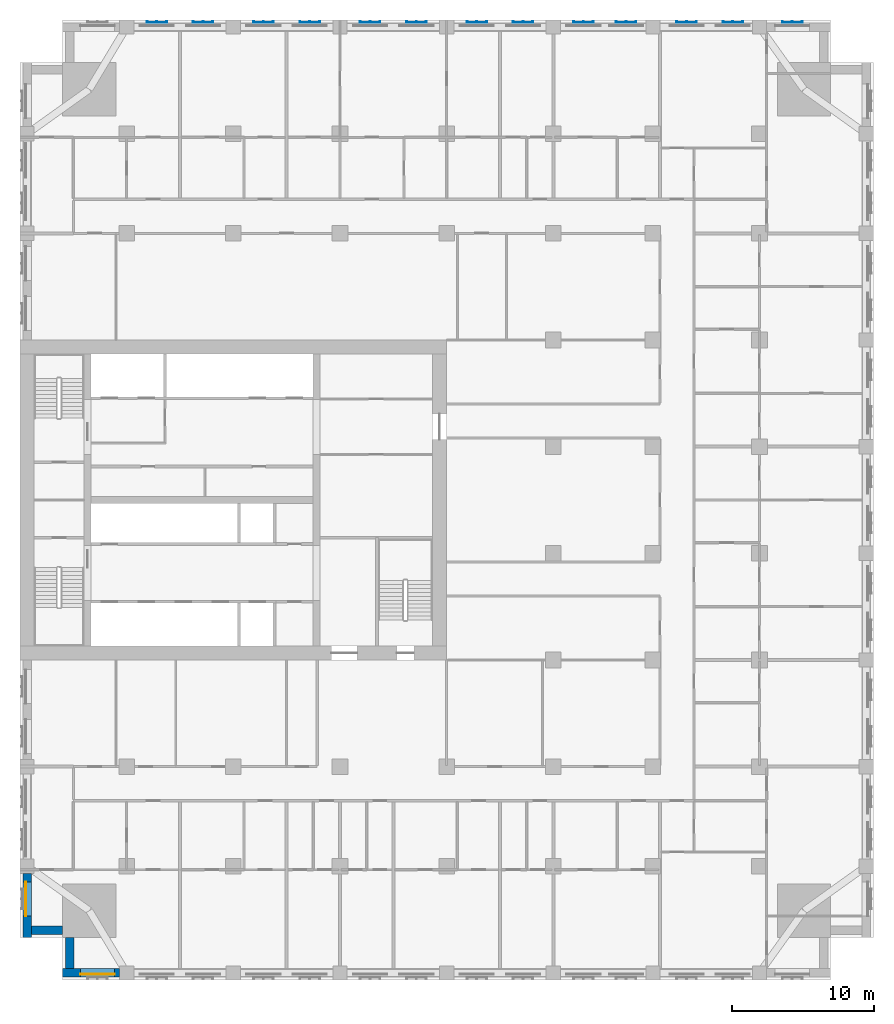
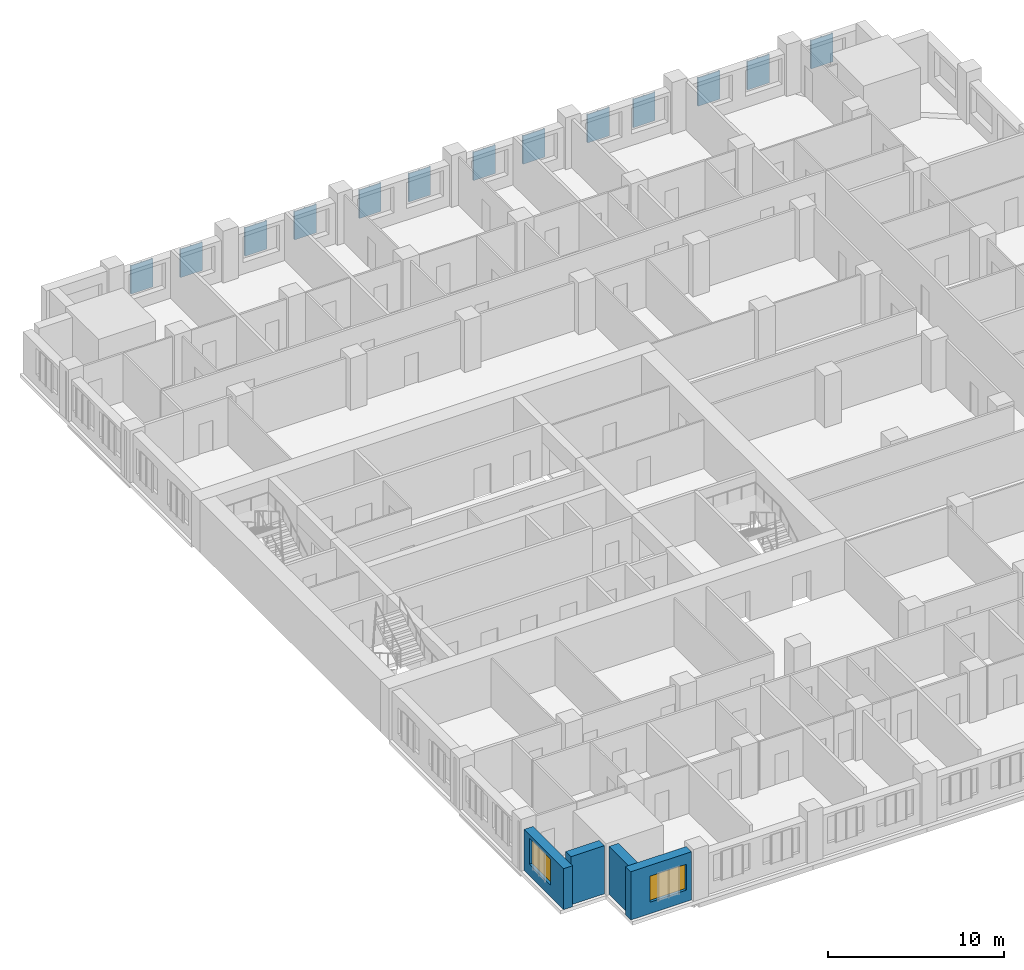
# One storey, part 3 of 14: 13 plates, 4 walls, 2 windows, 2 openings.
"""IFC4 building model written with IfcOpenShell, lengths in metres."""

import ifcopenshell
import ifcopenshell.guid

model = None  # the IFC model being written
_history = None  # IfcOwnerHistory: only IFC2X3 demands one
_inside = {}  # id of a spatial element -> (the spatial element, [elements in it])
_under = {}  # id of a project, library or spatial element -> (it, [spatial elements below it])
_declared = {}  # id of a project -> (the project, [libraries it declares])
_typed = {}  # id of a type object -> (the type object, [elements of that type])
_made_of = {}  # id of a material, layer set ... -> (it, [elements and type objects made of it])


def new_model(schema):
    """Start an empty IFC model of exactly this schema.

    Asked for "IFC4X3", IfcOpenShell would pick the latest addendum, in which some entities
    have other attributes; the version numbers below select the first issue.
    IFC2X3 requires an IfcOwnerHistory on every rooted entity: one is made here for all.
    """
    global model, _history
    if schema == "IFC4X3":
        model = ifcopenshell.file(schema_version=(4, 3, 0, 0))
    else:
        model = ifcopenshell.file(schema=schema)
    _inside.clear()
    _under.clear()
    _declared.clear()
    _typed.clear()
    _made_of.clear()
    _history = None
    if model.schema == "IFC2X3":
        org = make("IfcOrganization", Name="unknown")
        user = make(
            "IfcPersonAndOrganization",
            ThePerson=make("IfcPerson", FamilyName="unknown"),
            TheOrganization=org,
        )
        app = make(
            "IfcApplication",
            ApplicationDeveloper=org,
            Version="unknown",
            ApplicationFullName="unknown",
            ApplicationIdentifier="unknown",
        )
        _history = make(
            "IfcOwnerHistory",
            OwningUser=user,
            OwningApplication=app,
            ChangeAction="ADDED",
            CreationDate=0,
        )
    return model


def make(cls, **values):
    """One entity of the class cls with the attributes given. An attribute that is None is left unset."""
    return model.create_entity(
        cls, **{name: value for name, value in values.items() if value is not None}
    )


def rooted(cls, **values):
    """An entity with a GlobalId (a new one), such as an element, a storey or a relation."""
    return make(cls, GlobalId=ifcopenshell.guid.new(), OwnerHistory=_history, **values)


def si_unit(unit_type, name, prefix=None):
    """IfcSIUnit, for example si_unit("LENGTHUNIT", "METRE", prefix="MILLI")."""
    return make("IfcSIUnit", UnitType=unit_type, Prefix=prefix, Name=name)


def assignment(units):
    """IfcUnitAssignment: the units of a project."""
    return None if units is None else make("IfcUnitAssignment", Units=units)


def point(xyz):
    """IfcCartesianPoint."""
    return None if xyz is None else make("IfcCartesianPoint", Coordinates=xyz)


def direction(xyz):
    """IfcDirection."""
    return None if xyz is None else make("IfcDirection", DirectionRatios=xyz)


def frame(location, z_axis=None, x_axis=None):
    """IfcAxis2Placement3D, a coordinate frame: its origin and axes. An axis left out is left unset."""
    return make(
        "IfcAxis2Placement3D",
        Location=point(location),
        Axis=direction(z_axis),
        RefDirection=direction(x_axis),
    )


def frame_2d(location, x_axis=None):
    """IfcAxis2Placement2D, a coordinate frame in the plane: its origin and x axis."""
    return make(
        "IfcAxis2Placement2D", Location=point(location), RefDirection=direction(x_axis)
    )


def origin():
    """The frame at (0, 0, 0) with its axes left unset."""
    return frame((0.0, 0.0, 0.0))


def place(relative_to, where):
    """IfcLocalPlacement: puts the frame where relative to a parent placement (None: the world)."""
    return make(
        "IfcLocalPlacement", PlacementRelTo=relative_to, RelativePlacement=where
    )


def context(
    kind, dimensions, precision=None, world=None, true_north=None, identifier=None
):
    """IfcGeometricRepresentationContext, for example the 3D "Model" context."""
    return make(
        "IfcGeometricRepresentationContext",
        ContextIdentifier=identifier,
        ContextType=kind,
        CoordinateSpaceDimension=dimensions,
        Precision=precision,
        WorldCoordinateSystem=world,
        TrueNorth=true_north,
    )


def subcontext(parent, identifier, kind, view, scale=None):
    """IfcGeometricRepresentationSubContext, for example "Body" below "Model"."""
    return make(
        "IfcGeometricRepresentationSubContext",
        ContextIdentifier=identifier,
        ContextType=kind,
        ParentContext=parent,
        TargetScale=scale,
        TargetView=view,
    )


def project(units=None, contexts=None):
    """IfcProject with its units and contexts."""
    return rooted(
        "IfcProject",
        Name="project",
        RepresentationContexts=contexts,
        UnitsInContext=assignment(units),
    )


def spatial(cls, under=None, at=None, **own):
    """A site, building, storey or space (cls), placed at a placement, below another one or the project."""
    s = rooted(cls, ObjectPlacement=at, **own)
    if under is not None:
        _under.setdefault(under.id(), (under, []))[1].append(s)
    return s


def polyline(points):
    """IfcPolyline through the points."""
    return make("IfcPolyline", Points=[point(p) for p in points])


def profile(cls, at=None, kind="AREA", **sizes):
    """A parametric profile (cls). Its sizes go by their IFC names, for example OverallWidth=200.0."""
    return make(cls, ProfileType=kind, Position=at, **sizes)


def rectangle(**sizes):
    """IfcRectangleProfileDef."""
    return profile("IfcRectangleProfileDef", **sizes)


def outline(outer, holes=None, kind="AREA"):
    """IfcArbitraryClosedProfileDef: a profile drawn as a closed curve; with holes, ...WithVoids."""
    if holes is None:
        return make("IfcArbitraryClosedProfileDef", ProfileType=kind, OuterCurve=outer)
    return make(
        "IfcArbitraryProfileDefWithVoids",
        ProfileType=kind,
        OuterCurve=outer,
        InnerCurves=holes,
    )


def extrude(swept, where, along, depth):
    """IfcExtrudedAreaSolid: the profile swept, set in the frame where, extruded along a direction by depth."""
    return make(
        "IfcExtrudedAreaSolid",
        SweptArea=swept,
        Position=where,
        ExtrudedDirection=direction(along),
        Depth=depth,
    )


def shape(context_of_items, identifier, shape_type, items):
    """IfcShapeRepresentation: the items that make up one representation, for example the "Body"."""
    return make(
        "IfcShapeRepresentation",
        ContextOfItems=context_of_items,
        RepresentationIdentifier=identifier,
        RepresentationType=shape_type,
        Items=items,
    )


def material(Name=None, Category=None):
    """IfcMaterial."""
    return make("IfcMaterial", Name=Name, Category=Category)


def layer(
    of_material, thickness, ventilated=None, Name=None, Category=None, Priority=None
):
    """IfcMaterialLayer: one layer of a wall or slab, of a material (None: an air gap)."""
    return make(
        "IfcMaterialLayer",
        Material=of_material,
        LayerThickness=thickness,
        IsVentilated=ventilated,
        Name=Name,
        Category=Category,
        Priority=Priority,
    )


def layer_set(layers, Name=None):
    """IfcMaterialLayerSet."""
    return make("IfcMaterialLayerSet", MaterialLayers=layers, LayerSetName=Name)


def made_of(thing, what):
    """Note that an element or type object is made of a material, layer set ...; save() writes the relation."""
    if what is not None:
        _made_of.setdefault(what.id(), (what, []))[1].append(thing)
    return thing


def type_object(cls, material=None, **own):
    """A type object (cls), such as IfcWallType, which elements share."""
    return made_of(rooted(cls, **own), material)


def element(
    cls,
    number,
    at=None,
    inside=None,
    cuts=None,
    type_object=None,
    material=None,
    context=None,
    identifier="Body",
    shape_type=None,
    held_by="IfcProductDefinitionShape",
    body=None,
    shapes=None,
    **own,
):
    """One element of the class cls, such as IfcWall. Its Tag is "e" and its number.

    at: its placement. inside: the storey or other place that contains it. cuts: it is an
    opening in that element (IfcRelVoidsElement). A single representation is given by context,
    identifier, shape_type and body (its items); several are given by shapes. held_by: the class
    of the entity that holds the representations. save() writes the other relations.
    """
    e = rooted(cls, Tag="e%d" % number, ObjectPlacement=at, **own)
    if body is not None:
        shapes = [shape(context, identifier, shape_type, body)]
    if shapes is not None:
        e.Representation = make(held_by, Representations=shapes)
    if inside is not None:
        _inside.setdefault(inside.id(), (inside, []))[1].append(e)
    if cuts is not None:
        rooted(
            "IfcRelVoidsElement", RelatingBuildingElement=cuts, RelatedOpeningElement=e
        )
    if type_object is not None:
        _typed.setdefault(type_object.id(), (type_object, []))[1].append(e)
    return made_of(e, material)


def fill(opening, filler):
    """IfcRelFillsElement: the door or window that sits in an opening."""
    return rooted(
        "IfcRelFillsElement",
        RelatingOpeningElement=opening,
        RelatedBuildingElement=filler,
    )


def aggregate(whole, parts):
    """IfcRelAggregates: a whole, such as a stair, and the parts it consists of."""
    return rooted("IfcRelAggregates", RelatingObject=whole, RelatedObjects=parts)


def save(model, path):
    """Write the relations noted so far, then the file.

    IfcRelAggregates (storeys below a building ...), IfcRelContainedInSpatialStructure (elements
    in a storey), IfcRelDefinesByType, IfcRelAssociatesMaterial and IfcRelDeclares: one each for
    every whole, place, type object, material and project.
    """
    for whole, parts in _under.values():
        aggregate(whole, parts)
    for where, things in _inside.values():
        rooted(
            "IfcRelContainedInSpatialStructure",
            RelatedElements=things,
            RelatingStructure=where,
        )
    for kind, things in _typed.values():
        rooted("IfcRelDefinesByType", RelatedObjects=things, RelatingType=kind)
    for what, things in _made_of.values():
        rooted("IfcRelAssociatesMaterial", RelatedObjects=things, RelatingMaterial=what)
    for by, libraries in _declared.values():
        rooted("IfcRelDeclares", RelatingContext=by, RelatedDefinitions=libraries)
    model.write(path)


model = new_model("IFC4")

# Units and contexts
model_context = context("Model", 3, precision=1e-05, world=origin(), true_north=direction((0.0, 1.0)))
body_context = subcontext(model_context, "Body", "Model", "MODEL_VIEW")
ifc_project = project(units=[si_unit("LENGTHUNIT", "METRE"), si_unit("AREAUNIT", "SQUARE_METRE"), si_unit("VOLUMEUNIT", "CUBIC_METRE"), si_unit("PLANEANGLEUNIT", "RADIAN"), si_unit("MASSUNIT", "GRAM", prefix="KILO")], contexts=[model_context])

# Site, building, storey
site_placement = place(None, origin())
site = spatial("IfcSite", under=ifc_project, at=site_placement, CompositionType="ELEMENT")
building_placement = place(site_placement, origin())
building = spatial("IfcBuilding", under=site, at=building_placement, Name="Tamorin Gate", CompositionType="ELEMENT")
storey_placement = place(building_placement, frame((0.0, 0.0, 89.89990234375)))
storey = spatial("IfcBuildingStorey", under=building, at=storey_placement, Name="L21", CompositionType="ELEMENT", Elevation=89.89990234375)

# Plates
ifc_material_1 = material(Name="Perforated pale aluminium sheet", Category="aluminium")
ifc_layer_1 = layer(ifc_material_1, 0.0400390625)
ifc_layer_set_1 = layer_set([ifc_layer_1], Name="Pale metal solar screen 1440")
plate_type = type_object("IfcPlateType", Name="Pale metal solar screen 1440", PredefinedType="SHEET", material=ifc_layer_set_1)
plate_1_placement = place(storey_placement, frame((0.0, 0.0, 0.710205078125)))
element("IfcPlate", 1, at=plate_1_placement, inside=storey, type_object=plate_type, Name="Perforated solar screen", PredefinedType="SHEET", context=body_context, shape_type="SweptSolid", body=[
    extrude(outline(polyline([(85.02001953125, 104.840087890625), (85.02001953125, 104.800048828125), (84.9599609375, 104.800048828125), (84.330078125, 104.800048828125), (84.27001953125, 104.800048828125), (83.639892578125, 104.800048828125), (83.580078125, 104.800048828125), (83.580078125, 104.840087890625), (83.580078125, 104.89990234375), (83.639892578125, 104.89990234375), (83.639892578125, 104.840087890625), (84.27001953125, 104.840087890625), (84.27001953125, 104.89990234375), (84.330078125, 104.89990234375), (84.330078125, 104.840087890625), (84.9599609375, 104.840087890625), (84.9599609375, 104.89990234375), (85.02001953125, 104.89990234375), (85.02001953125, 104.840087890625)])), origin(), (0.0, 0.0, 1.0), 1.97998046875),
])
plate_2_placement = place(storey_placement, frame((0.0, 0.0, 0.710205078125)))
element("IfcPlate", 2, at=plate_2_placement, inside=storey, type_object=plate_type, Name="Perforated solar screen", PredefinedType="SHEET", context=body_context, shape_type="SweptSolid", body=[
    extrude(outline(polyline([(77.594970703125, 104.840087890625), (77.594970703125, 104.800048828125), (77.534912109375, 104.800048828125), (76.905029296875, 104.800048828125), (76.844970703125, 104.800048828125), (76.215087890625, 104.800048828125), (76.155029296875, 104.800048828125), (76.155029296875, 104.840087890625), (76.155029296875, 104.89990234375), (76.215087890625, 104.89990234375), (76.215087890625, 104.840087890625), (76.844970703125, 104.840087890625), (76.844970703125, 104.89990234375), (76.905029296875, 104.89990234375), (76.905029296875, 104.840087890625), (77.534912109375, 104.840087890625), (77.534912109375, 104.89990234375), (77.594970703125, 104.89990234375), (77.594970703125, 104.840087890625)])), origin(), (0.0, 0.0, 1.0), 1.97998046875),
])
plate_3_placement = place(storey_placement, frame((0.0, 0.0, 0.710205078125)))
element("IfcPlate", 3, at=plate_3_placement, inside=storey, type_object=plate_type, Name="Perforated solar screen", PredefinedType="SHEET", context=body_context, shape_type="SweptSolid", body=[
    extrude(outline(polyline([(80.844970703125, 104.840087890625), (80.844970703125, 104.800048828125), (80.784912109375, 104.800048828125), (80.155029296875, 104.800048828125), (80.094970703125, 104.800048828125), (79.465087890625, 104.800048828125), (79.405029296875, 104.800048828125), (79.405029296875, 104.800048828125), (79.405029296875, 104.840087890625), (79.405029296875, 104.840087890625), (79.405029296875, 104.89990234375), (79.465087890625, 104.89990234375), (79.465087890625, 104.840087890625), (80.094970703125, 104.840087890625), (80.094970703125, 104.89990234375), (80.155029296875, 104.89990234375), (80.155029296875, 104.840087890625), (80.784912109375, 104.840087890625), (80.784912109375, 104.89990234375), (80.844970703125, 104.89990234375), (80.844970703125, 104.840087890625)])), origin(), (0.0, 0.0, 1.0), 1.97998046875),
])
plate_4_placement = place(storey_placement, frame((0.0, 0.0, 0.710205078125)))
element("IfcPlate", 4, at=plate_4_placement, inside=storey, type_object=plate_type, Name="Perforated solar screen", PredefinedType="SHEET", context=body_context, shape_type="SweptSolid", body=[
    extrude(outline(polyline([(70.344970703125, 104.840087890625), (70.344970703125, 104.800048828125), (70.284912109375, 104.800048828125), (69.655029296875, 104.800048828125), (69.594970703125, 104.800048828125), (68.965087890625, 104.800048828125), (68.905029296875, 104.800048828125), (68.905029296875, 104.840087890625), (68.905029296875, 104.89990234375), (68.965087890625, 104.89990234375), (68.965087890625, 104.840087890625), (69.594970703125, 104.840087890625), (69.594970703125, 104.89990234375), (69.655029296875, 104.89990234375), (69.655029296875, 104.840087890625), (70.284912109375, 104.840087890625), (70.284912109375, 104.89990234375), (70.344970703125, 104.89990234375), (70.344970703125, 104.840087890625)])), origin(), (0.0, 0.0, 1.0), 1.97998046875),
])
plate_5_placement = place(storey_placement, frame((0.0, 0.0, 0.710205078125)))
element("IfcPlate", 5, at=plate_5_placement, inside=storey, type_object=plate_type, Name="Perforated solar screen", PredefinedType="SHEET", context=body_context, shape_type="SweptSolid", body=[
    extrude(outline(polyline([(73.344970703125, 104.840087890625), (73.344970703125, 104.800048828125), (73.284912109375, 104.800048828125), (72.655029296875, 104.800048828125), (72.594970703125, 104.800048828125), (71.965087890625, 104.800048828125), (71.905029296875, 104.800048828125), (71.905029296875, 104.840087890625), (71.905029296875, 104.89990234375), (71.965087890625, 104.89990234375), (71.965087890625, 104.840087890625), (72.594970703125, 104.840087890625), (72.594970703125, 104.89990234375), (72.655029296875, 104.89990234375), (72.655029296875, 104.840087890625), (73.284912109375, 104.840087890625), (73.284912109375, 104.89990234375), (73.344970703125, 104.89990234375), (73.344970703125, 104.840087890625)])), origin(), (0.0, 0.0, 1.0), 1.97998046875),
])
plate_6_placement = place(storey_placement, frame((0.0, 0.0, 0.710205078125)))
element("IfcPlate", 6, at=plate_6_placement, inside=storey, type_object=plate_type, Name="Perforated solar screen", PredefinedType="SHEET", context=body_context, shape_type="SweptSolid", body=[
    extrude(outline(polyline([(62.844970703125, 104.840087890625), (62.844970703125, 104.800048828125), (62.784912109375, 104.800048828125), (62.155029296875, 104.800048828125), (62.094970703125, 104.800048828125), (61.465087890625, 104.800048828125), (61.405029296875, 104.800048828125), (61.405029296875, 104.840087890625), (61.405029296875, 104.89990234375), (61.465087890625, 104.89990234375), (61.465087890625, 104.840087890625), (62.094970703125, 104.840087890625), (62.094970703125, 104.89990234375), (62.155029296875, 104.89990234375), (62.155029296875, 104.840087890625), (62.784912109375, 104.840087890625), (62.784912109375, 104.89990234375), (62.844970703125, 104.89990234375), (62.844970703125, 104.840087890625)])), origin(), (0.0, 0.0, 1.0), 1.97998046875),
])
plate_7_placement = place(storey_placement, frame((0.0, 0.0, 0.710205078125)))
element("IfcPlate", 7, at=plate_7_placement, inside=storey, type_object=plate_type, Name="Perforated solar screen", PredefinedType="SHEET", context=body_context, shape_type="SweptSolid", body=[
    extrude(outline(polyline([(66.094970703125, 104.840087890625), (66.094970703125, 104.800048828125), (66.034912109375, 104.800048828125), (65.405029296875, 104.800048828125), (65.344970703125, 104.800048828125), (64.715087890625, 104.800048828125), (64.655029296875, 104.800048828125), (64.655029296875, 104.840087890625), (64.655029296875, 104.89990234375), (64.715087890625, 104.89990234375), (64.715087890625, 104.840087890625), (65.344970703125, 104.840087890625), (65.344970703125, 104.89990234375), (65.405029296875, 104.89990234375), (65.405029296875, 104.840087890625), (66.034912109375, 104.840087890625), (66.034912109375, 104.89990234375), (66.094970703125, 104.89990234375), (66.094970703125, 104.840087890625)])), origin(), (0.0, 0.0, 1.0), 1.97998046875),
])
plate_8_placement = place(storey_placement, frame((0.0, 0.0, 0.710205078125)))
element("IfcPlate", 8, at=plate_8_placement, inside=storey, type_object=plate_type, Name="Perforated solar screen", PredefinedType="SHEET", context=body_context, shape_type="SweptSolid", body=[
    extrude(outline(polyline([(55.344970703125, 104.840087890625), (55.344970703125, 104.800048828125), (55.284912109375, 104.800048828125), (54.655029296875, 104.800048828125), (54.594970703125, 104.800048828125), (53.965087890625, 104.800048828125), (53.905029296875, 104.800048828125), (53.905029296875, 104.840087890625), (53.905029296875, 104.89990234375), (53.965087890625, 104.89990234375), (53.965087890625, 104.840087890625), (54.594970703125, 104.840087890625), (54.594970703125, 104.89990234375), (54.655029296875, 104.89990234375), (54.655029296875, 104.840087890625), (55.284912109375, 104.840087890625), (55.284912109375, 104.89990234375), (55.344970703125, 104.89990234375), (55.344970703125, 104.840087890625)])), origin(), (0.0, 0.0, 1.0), 1.97998046875),
])
plate_9_placement = place(storey_placement, frame((0.0, 0.0, 0.710205078125)))
element("IfcPlate", 9, at=plate_9_placement, inside=storey, type_object=plate_type, Name="Perforated solar screen", PredefinedType="SHEET", context=body_context, shape_type="SweptSolid", body=[
    extrude(outline(polyline([(58.594970703125, 104.840087890625), (58.594970703125, 104.800048828125), (58.534912109375, 104.800048828125), (57.905029296875, 104.800048828125), (57.844970703125, 104.800048828125), (57.215087890625, 104.800048828125), (57.155029296875, 104.800048828125), (57.155029296875, 104.840087890625), (57.155029296875, 104.89990234375), (57.215087890625, 104.89990234375), (57.215087890625, 104.840087890625), (57.844970703125, 104.840087890625), (57.844970703125, 104.89990234375), (57.905029296875, 104.89990234375), (57.905029296875, 104.840087890625), (58.534912109375, 104.840087890625), (58.534912109375, 104.89990234375), (58.594970703125, 104.89990234375), (58.594970703125, 104.840087890625)])), origin(), (0.0, 0.0, 1.0), 1.97998046875),
])
plate_10_placement = place(storey_placement, frame((0.0, 0.0, 0.710205078125)))
element("IfcPlate", 10, at=plate_10_placement, inside=storey, type_object=plate_type, Name="Perforated solar screen", PredefinedType="SHEET", context=body_context, shape_type="SweptSolid", body=[
    extrude(outline(polyline([(47.844970703125, 104.840087890625), (47.844970703125, 104.800048828125), (47.784912109375, 104.800048828125), (47.155029296875, 104.800048828125), (47.094970703125, 104.800048828125), (46.465087890625, 104.800048828125), (46.405029296875, 104.800048828125), (46.405029296875, 104.840087890625), (46.405029296875, 104.89990234375), (46.465087890625, 104.89990234375), (46.465087890625, 104.840087890625), (47.094970703125, 104.840087890625), (47.094970703125, 104.89990234375), (47.155029296875, 104.89990234375), (47.155029296875, 104.840087890625), (47.784912109375, 104.840087890625), (47.784912109375, 104.89990234375), (47.844970703125, 104.89990234375), (47.844970703125, 104.840087890625)])), origin(), (0.0, 0.0, 1.0), 1.97998046875),
])
plate_11_placement = place(storey_placement, frame((0.0, 0.0, 0.710205078125)))
element("IfcPlate", 11, at=plate_11_placement, inside=storey, type_object=plate_type, Name="Perforated solar screen", PredefinedType="SHEET", context=body_context, shape_type="SweptSolid", body=[
    extrude(outline(polyline([(51.094970703125, 104.840087890625), (51.094970703125, 104.800048828125), (51.034912109375, 104.800048828125), (50.405029296875, 104.800048828125), (50.344970703125, 104.800048828125), (49.715087890625, 104.800048828125), (49.655029296875, 104.800048828125), (49.655029296875, 104.840087890625), (49.655029296875, 104.89990234375), (49.715087890625, 104.89990234375), (49.715087890625, 104.840087890625), (50.344970703125, 104.840087890625), (50.344970703125, 104.89990234375), (50.405029296875, 104.89990234375), (50.405029296875, 104.840087890625), (51.034912109375, 104.840087890625), (51.034912109375, 104.89990234375), (51.094970703125, 104.89990234375), (51.094970703125, 104.840087890625)])), origin(), (0.0, 0.0, 1.0), 1.97998046875),
])
plate_12_placement = place(storey_placement, frame((0.0, 0.0, 0.710205078125)))
element("IfcPlate", 12, at=plate_12_placement, inside=storey, type_object=plate_type, Name="Perforated solar screen", PredefinedType="SHEET", context=body_context, shape_type="SweptSolid", body=[
    extrude(outline(polyline([(40.344970703125, 104.840087890625), (40.344970703125, 104.800048828125), (40.284912109375, 104.800048828125), (39.655029296875, 104.800048828125), (39.594970703125, 104.800048828125), (38.965087890625, 104.800048828125), (38.905029296875, 104.800048828125), (38.905029296875, 104.840087890625), (38.905029296875, 104.89990234375), (38.965087890625, 104.89990234375), (38.965087890625, 104.840087890625), (39.594970703125, 104.840087890625), (39.594970703125, 104.89990234375), (39.655029296875, 104.89990234375), (39.655029296875, 104.840087890625), (40.284912109375, 104.840087890625), (40.284912109375, 104.89990234375), (40.344970703125, 104.89990234375), (40.344970703125, 104.840087890625)])), origin(), (0.0, 0.0, 1.0), 1.97998046875),
])
plate_13_placement = place(storey_placement, frame((0.0, 0.0, 0.710205078125)))
element("IfcPlate", 13, at=plate_13_placement, inside=storey, type_object=plate_type, Name="Perforated solar screen", PredefinedType="SHEET", context=body_context, shape_type="SweptSolid", body=[
    extrude(outline(polyline([(43.594970703125, 104.840087890625), (43.594970703125, 104.800048828125), (43.534912109375, 104.800048828125), (42.905029296875, 104.800048828125), (42.844970703125, 104.800048828125), (42.215087890625, 104.800048828125), (42.155029296875, 104.800048828125), (42.155029296875, 104.840087890625), (42.155029296875, 104.89990234375), (42.215087890625, 104.89990234375), (42.215087890625, 104.840087890625), (42.844970703125, 104.840087890625), (42.844970703125, 104.89990234375), (42.905029296875, 104.89990234375), (42.905029296875, 104.840087890625), (43.534912109375, 104.840087890625), (43.534912109375, 104.89990234375), (43.594970703125, 104.89990234375), (43.594970703125, 104.840087890625)])), origin(), (0.0, 0.0, 1.0), 1.97998046875),
])

# Wall, opening, window
ifc_material_2 = material(Name="Precast concrete C40/50", Category="concrete")
ifc_layer_2 = layer(ifc_material_2, 0.60009765625)
ifc_layer_set_2 = layer_set([ifc_layer_2], Name="Precast concrete C40/50")
wall_type = type_object("IfcWallType", Name="Board-marked concrete facade panel 600", PredefinedType="SOLIDWALL", material=ifc_layer_set_2)
wall_1_placement = place(storey_placement, frame((33.0, 38.0, 0.0), z_axis=(0.0, 0.0, 1.0), x_axis=(1.0, 0.0, 0.0)))
wall_1 = element("IfcWall", 14, at=wall_1_placement, inside=storey, type_object=wall_type, Name="Facade panel", PredefinedType="SOLIDWALL", context=body_context, shape_type="SweptSolid", body=[
    extrude(rectangle(XDim=4.0, YDim=0.60009765625, at=frame_2d((2.0, 0.0))), origin(), (0.0, 0.0, 1.0), 3.35009765625),
])
opening_1_placement = place(wall_1_placement, frame((1.25, 0.0, 0.800048828125)))
opening_1 = element("IfcOpeningElement", 15, at=opening_1_placement, cuts=wall_1, Name="Opening WN1", PredefinedType="OPENING", context=body_context, shape_type="SweptSolid", body=[
    extrude(rectangle(XDim=2.39990234375, YDim=1.800048828125, at=frame_2d((1.199951171875, 0.89990234375))), frame((0.0, 0.31005859375, 0.0), z_axis=(0.0, -1.0, 0.0), x_axis=(1.0, 0.0, 0.0)), (0.0, 0.0, 1.0), 0.6201171875),
])
ifc_material_3 = material(Name="Clear glass in aluminium frame", Category="aluminium")
window_type = type_object("IfcWindowType", Name="Deep-set window 2400x1800", PartitioningType="SINGLE_PANEL", PredefinedType="WINDOW", material=ifc_material_3)
window_1_placement = place(opening_1_placement, origin())
window_1 = element("IfcWindow", 16, at=window_1_placement, inside=storey, type_object=window_type, Name="Deep-set window", OverallHeight=1.800048828125, OverallWidth=2.39990234375, PartitioningType="SINGLE_PANEL", PredefinedType="WINDOW", context=body_context, shape_type="SweptSolid", body=[
    extrude(rectangle(XDim=2.39990234375, YDim=1.800048828125, at=frame_2d((1.199951171875, 0.89990234375))), frame((0.0, -0.070068359375, 0.0), z_axis=(0.0, -1.0, 0.0), x_axis=(1.0, 0.0, 0.0)), (0.0, 0.0, 1.0), 0.06005859375),
])
fill(opening_1, window_1)

wall_2_placement = place(storey_placement, frame((30.5, 45.0, 0.0), z_axis=(0.0, 0.0, 1.0), x_axis=(0.0, -1.0, 0.0)))
wall_2 = element("IfcWall", 17, at=wall_2_placement, inside=storey, type_object=wall_type, Name="Facade panel", PredefinedType="SOLIDWALL", context=body_context, shape_type="SweptSolid", body=[
    extrude(rectangle(XDim=4.5, YDim=0.60009765625, at=frame_2d((2.25, 0.0))), origin(), (0.0, 0.0, 1.0), 2.85009765625),
])
opening_2_placement = place(wall_2_placement, frame((0.60009765625, 0.0, 0.800048828125)))
opening_2 = element("IfcOpeningElement", 18, at=opening_2_placement, cuts=wall_2, Name="Opening WN1", PredefinedType="OPENING", context=body_context, shape_type="SweptSolid", body=[
    extrude(rectangle(XDim=2.39990234375, YDim=1.800048828125, at=frame_2d((1.199951171875, 0.89990234375))), frame((0.0, 0.31005859375, 0.0), z_axis=(0.0, -1.0, 0.0), x_axis=(1.0, 0.0, 0.0)), (0.0, 0.0, 1.0), 0.6201171875),
])
window_2_placement = place(opening_2_placement, origin())
window_2 = element("IfcWindow", 19, at=window_2_placement, inside=storey, type_object=window_type, Name="Deep-set window", OverallHeight=1.800048828125, OverallWidth=2.39990234375, PartitioningType="SINGLE_PANEL", PredefinedType="WINDOW", context=body_context, shape_type="SweptSolid", body=[
    extrude(rectangle(XDim=2.39990234375, YDim=1.800048828125, at=frame_2d((1.199951171875, 0.89990234375))), frame((0.0, -0.070068359375, 0.0), z_axis=(0.0, -1.0, 0.0), x_axis=(1.0, 0.0, 0.0)), (0.0, 0.0, 1.0), 0.06005859375),
])
fill(opening_2, window_2)

# Walls
for number, where, z_axis, x_axis, name in (
    (20, (30.800048828125, 41.0, 0.0), (0.0, 0.0, 1.0), (1.0, 0.0, 0.0), "Facade panel"),
    (21, (33.5, 40.5, 0.0), (0.0, 0.0, 1.0), (0.0, -1.0, 0.0), "Facade panel"),
):
    element("IfcWall", number, at=place(storey_placement, frame(where, z_axis=z_axis, x_axis=x_axis)), inside=storey, type_object=wall_type, Name=name, PredefinedType="SOLIDWALL", context=body_context, shape_type="SweptSolid", body=[
        extrude(rectangle(XDim=2.199951171875, YDim=0.60009765625, at=frame_2d((1.10009765625, 0.0))), origin(), (0.0, 0.0, 1.0), 3.35009765625),
    ])

save(model, "model.ifc")
